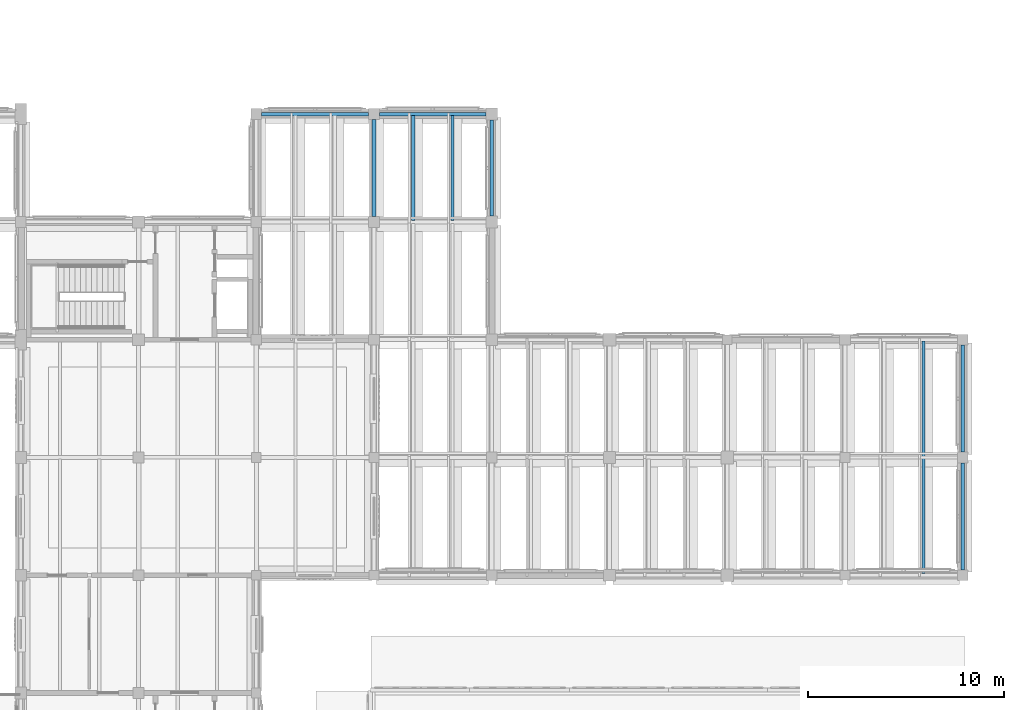
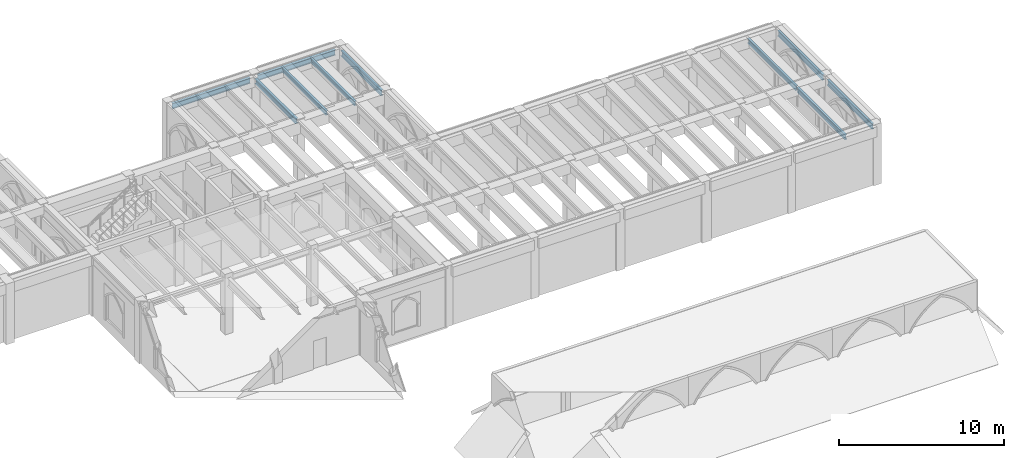
# One storey, part 61 of 127: 10 beams.
"""IFC4 building model written with IfcOpenShell, lengths in metres."""

from ifc_helpers import new_model, si_unit, direction, frame, origin, origin_2d, place, context, subcontext, project, spatial, i_section, extrude, material, material_profile, profile_set, type_object, element, save


model = new_model("IFC4")

# Units and contexts
model_context = context("Model", 3, precision=1e-05, world=origin(), true_north=direction((0.0, 1.0)))
body_context = subcontext(model_context, "Body", "Model", "MODEL_VIEW")
ifc_project = project(units=[si_unit("LENGTHUNIT", "METRE"), si_unit("AREAUNIT", "SQUARE_METRE"), si_unit("VOLUMEUNIT", "CUBIC_METRE"), si_unit("PLANEANGLEUNIT", "RADIAN"), si_unit("MASSUNIT", "GRAM", prefix="KILO")], contexts=[model_context])

# Site, building, storey
site_placement = place(None, origin())
site = spatial("IfcSite", under=ifc_project, at=site_placement, CompositionType="ELEMENT")
building_placement = place(site_placement, origin())
building = spatial("IfcBuilding", under=site, at=building_placement, Name="Cumevento Cable Car Station", CompositionType="ELEMENT")
storey_placement = place(building_placement, frame((0.0, 0.0, 4.5)))
storey = spatial("IfcBuildingStorey", under=building, at=storey_placement, Name="L02", CompositionType="ELEMENT", Elevation=4.5)

# Beams
ifc_material_1 = material(Name="Steel ASTM A572 Grade 50", Category="steel")
ifc_material_profile_1 = material_profile(ifc_material_1, i_section(OverallWidth=0.205078125, OverallDepth=0.35400390625, WebThickness=0.009521484375, FlangeThickness=0.016845703125, at=origin_2d()), Name="W360x79.0")
ifc_profile_set_1 = profile_set([ifc_material_profile_1], Name="Steel ASTM A572 Grade 50")
beam_type_1 = type_object("IfcBeamType", Name="Structural Beam BM-05 W360x79.0", PredefinedType="BEAM", material=ifc_profile_set_1)
beam_1_placement = place(storey_placement, frame((136.0, 51.27490234375, 3.972900390625), z_axis=(0.0, 1.0, 0.0), x_axis=(-1.0, 0.0, 0.0)))
element("IfcBeam", 1, at=beam_1_placement, inside=storey, type_object=beam_type_1, Name="Beam BM-05 L02 #726", PredefinedType="BEAM", context=body_context, shape_type="SweptSolid", body=[
    extrude(i_section(OverallWidth=0.205078125, OverallDepth=0.35400390625, WebThickness=0.009521484375, FlangeThickness=0.016845703125, at=origin_2d()), origin(), (0.0, 0.0, 1.0), 4.9501953125),
])
ifc_material_2 = material(Name="Steel ASTM A572 Grade 50", Category="steel")
ifc_material_profile_2 = material_profile(ifc_material_2, i_section(OverallWidth=0.1708984375, OverallDepth=0.35498046875, WebThickness=0.007080078125, FlangeThickness=0.01171875, at=origin_2d()), Name="W360x51.0")
ifc_profile_set_2 = profile_set([ifc_material_profile_2], Name="Steel ASTM A572 Grade 50")
beam_type_2 = type_object("IfcBeamType", Name="Structural Joist JS-01 W360x51.0", PredefinedType="JOIST", material=ifc_profile_set_2)
for number, where, z_axis, x_axis, name in (
    (2, (164.0, 33.076904296875, 4.012451171875), (0.0, 1.0, 0.0), (-1.0, 0.0, 0.0), "Composite Floor Joist JS-01 L02 #913"),
    (3, (164.0, 39.06201171875, 4.012451171875), (0.0, 1.0, 0.0), (-1.0, 0.0, 0.0), "Composite Floor Joist JS-01 L02 #914"),
):
    element("IfcBeam", number, at=place(storey_placement, frame(where, z_axis=z_axis, x_axis=x_axis)), inside=storey, type_object=beam_type_2, Name=name, PredefinedType="JOIST", context=body_context, shape_type="SweptSolid", body=[
        extrude(i_section(OverallWidth=0.1708984375, OverallDepth=0.35498046875, WebThickness=0.007080078125, FlangeThickness=0.01171875, at=origin_2d()), origin(), (0.0, 0.0, 1.0), 5.861083984375),
    ])
ifc_material_3 = material(Name="Steel ASTM A572 Grade 50", Category="steel")
ifc_material_profile_3 = material_profile(ifc_material_3, i_section(OverallWidth=0.1669921875, OverallDepth=0.31689453125, WebThickness=0.007568359375, FlangeThickness=0.01318359375, at=origin_2d()), Name="W310x52.0")
ifc_profile_set_3 = profile_set([ifc_material_profile_3], Name="Steel ASTM A572 Grade 50")
beam_type_3 = type_object("IfcBeamType", Name="Structural Joist JS-02 W310x52.0", PredefinedType="JOIST", material=ifc_profile_set_3)
for number, where, z_axis, x_axis, name in (
    (4, (138.0, 51.0830078125, 3.991455078125), (0.0, 1.0, 0.0), (-1.0, 0.0, 0.0), "Composite Floor Joist JS-02 L02 #921"),
    (5, (140.0, 51.0830078125, 3.991455078125), (0.0, 1.0, 0.0), (-1.0, 0.0, 0.0), "Composite Floor Joist JS-02 L02 #923"),
):
    element("IfcBeam", number, at=place(storey_placement, frame(where, z_axis=z_axis, x_axis=x_axis)), inside=storey, type_object=beam_type_3, Name=name, PredefinedType="JOIST", context=body_context, shape_type="SweptSolid", body=[
        extrude(i_section(OverallWidth=0.1669921875, OverallDepth=0.31689453125, WebThickness=0.007568359375, FlangeThickness=0.01318359375, at=origin_2d()), origin(), (0.0, 0.0, 1.0), 5.340087890625),
    ])
ifc_material_4 = material(Name="Steel ASTM A572 Grade 50", Category="steel")
ifc_material_profile_4 = material_profile(ifc_material_4, i_section(OverallWidth=0.177978515625, OverallDepth=0.406982421875, WebThickness=0.0078125, FlangeThickness=0.0126953125, at=origin_2d()), Name="W410x60.0")
ifc_profile_set_4 = profile_set([ifc_material_profile_4], Name="Steel ASTM A572 Grade 50")
beam_type_4 = type_object("IfcBeamType", Name="Structural Spandrel SP-01 W410x60.0", PredefinedType="SPANDREL", material=ifc_profile_set_4)
for number, where, z_axis, x_axis, name in (
    (6, (166.0, 33.27490234375, 3.986572265625), (0.0, 1.0, 0.0), (-1.0, 0.0, 0.0), "Beam SP-01 L02 #714"),
    (7, (166.0, 39.27490234375, 3.986572265625), (0.0, 1.0, 0.0), (-1.0, 0.0, 0.0), "Beam SP-01 L02 #715"),
    (8, (130.27490234375, 56.5, 3.946533203125), (1.0, 0.0, 0.0), (0.0, 1.0, 0.0), "Beam SP-01 L02 #722"),
):
    element("IfcBeam", number, at=place(storey_placement, frame(where, z_axis=z_axis, x_axis=x_axis)), inside=storey, type_object=beam_type_4, Name=name, PredefinedType="SPANDREL", context=body_context, shape_type="SweptSolid", body=[
        extrude(i_section(OverallWidth=0.177978515625, OverallDepth=0.406982421875, WebThickness=0.0078125, FlangeThickness=0.0126953125, at=origin_2d()), origin(), (0.0, 0.0, 1.0), 5.4501953125),
    ])
beam_2_placement = place(storey_placement, frame((136.27490234375, 56.5, 3.946533203125), z_axis=(1.0, 0.0, 0.0), x_axis=(0.0, 1.0, 0.0)))
element("IfcBeam", 9, at=beam_2_placement, inside=storey, type_object=beam_type_4, Name="Beam SP-01 L02 #723", PredefinedType="SPANDREL", context=body_context, shape_type="SweptSolid", body=[
    extrude(i_section(OverallWidth=0.177978515625, OverallDepth=0.406982421875, WebThickness=0.0078125, FlangeThickness=0.0126953125, at=origin_2d()), origin(), (0.0, 0.0, 1.0), 5.425048828125),
])
beam_3_placement = place(storey_placement, frame((142.0, 51.300048828125, 3.946533203125), z_axis=(0.0, 1.0, 0.0), x_axis=(-1.0, 0.0, 0.0)))
element("IfcBeam", 10, at=beam_3_placement, inside=storey, type_object=beam_type_4, Name="Beam SP-01 L02 #728", PredefinedType="SPANDREL", context=body_context, shape_type="SweptSolid", body=[
    extrude(i_section(OverallWidth=0.177978515625, OverallDepth=0.406982421875, WebThickness=0.0078125, FlangeThickness=0.0126953125, at=origin_2d()), origin(), (0.0, 0.0, 1.0), 4.89990234375),
])

save(model, "model.ifc")
